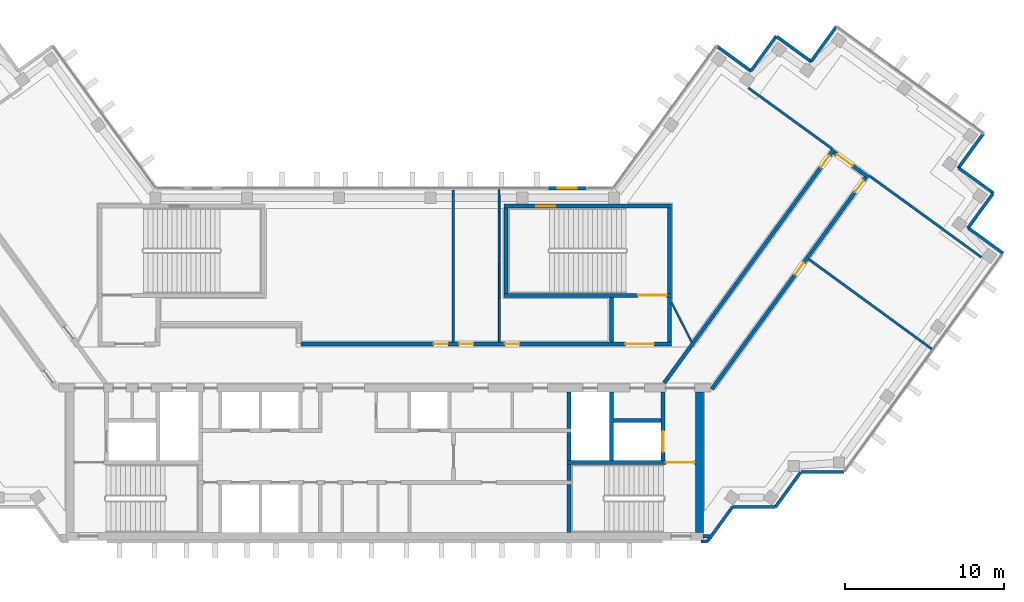
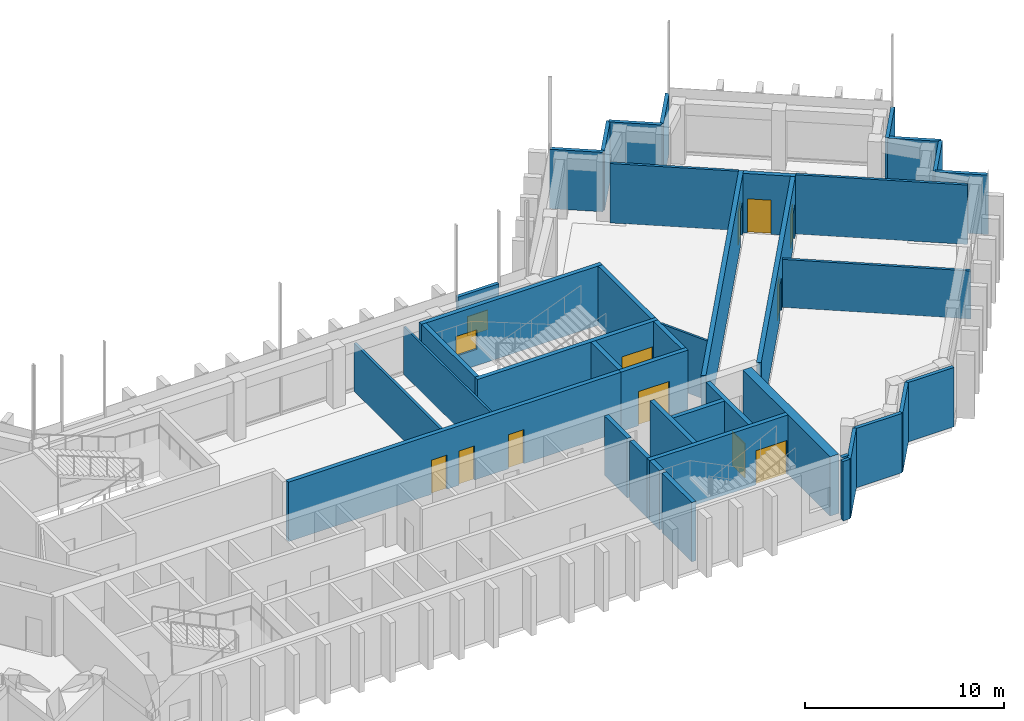
# One storey, part 10 of 13: 41 walls, 11 doors, 2 windows, 13 openings.
"""IFC4 building model written with IfcOpenShell, lengths in metres."""

from ifc_helpers import new_model, si_unit, direction, frame, frame_2d, origin, place, context, subcontext, project, spatial, rectangle, extrude, material, layer, layer_set, type_object, element, fill, save


model = new_model("IFC4")

# Units and contexts
model_context = context("Model", 3, precision=1e-05, world=origin(), true_north=direction((0.0, 1.0)))
body_context = subcontext(model_context, "Body", "Model", "MODEL_VIEW")
ifc_project = project(units=[si_unit("LENGTHUNIT", "METRE"), si_unit("AREAUNIT", "SQUARE_METRE"), si_unit("VOLUMEUNIT", "CUBIC_METRE"), si_unit("PLANEANGLEUNIT", "RADIAN"), si_unit("MASSUNIT", "GRAM", prefix="KILO")], contexts=[model_context])

# Site, building, storey
site_placement = place(None, origin())
site = spatial("IfcSite", under=ifc_project, at=site_placement, CompositionType="ELEMENT")
building_placement = place(site_placement, origin())
building = spatial("IfcBuilding", under=site, at=building_placement, Name="Quipu Civic Tower", CompositionType="ELEMENT")
storey_placement = place(building_placement, frame((0.0, 0.0, 347.0)))
storey = spatial("IfcBuildingStorey", under=building, at=storey_placement, Name="L81", CompositionType="ELEMENT", Elevation=347.0)

# Walls
ifc_material_1 = material(Name="Double gypsum plasterboard with mineral wool")
ifc_layer_1 = layer(ifc_material_1, 0.14990234375)
ifc_layer_set_1 = layer_set([ifc_layer_1], Name="Double gypsum plasterboard with mineral wool")
wall_type_1 = type_object("IfcWallType", Name="Acoustic partition 150 plasterboard", PredefinedType="PARTITIONING", material=ifc_layer_set_1)
wall_1_placement = place(storey_placement, frame((28.0732421875, 13.577880859375, 0.0), z_axis=(0.0, 0.0, 1.0), x_axis=(-0.809000932727, 0.587807358619, 0.0)))
element("IfcWall", 1, at=wall_1_placement, inside=storey, type_object=wall_type_1, Name="Partition P01", PredefinedType="PARTITIONING", context=body_context, shape_type="SweptSolid", body=[
    extrude(rectangle(XDim=6.49560546875, YDim=0.14990234375, at=frame_2d((3.247802734375, 0.0))), origin(), (0.0, 0.0, 1.0), 3.64990234375),
])
wall_2_placement = place(storey_placement, frame((37.4580078125, 6.759765625, 0.0), z_axis=(0.0, 0.0, 1.0), x_axis=(-0.809016295501, 0.587786214209, 0.0)))
element("IfcWall", 2, at=wall_2_placement, inside=storey, type_object=wall_type_1, Name="Partition P02", PredefinedType="PARTITIONING", context=body_context, shape_type="SweptSolid", body=[
    extrude(rectangle(XDim=8.700439453125, YDim=0.14990234375, at=frame_2d((4.35009765625, 0.0))), origin(), (0.0, 0.0, 1.0), 3.64990234375),
])
for number, where, z_axis, x_axis, name in (
    (3, (26.618896484375, 6.643310546875, 0.0), (0.0, 0.0, 1.0), (0.807594822539, -0.589737740532, 0.0), "Partition P03"),
    (4, (4.299072265625, 1.449951171875, 0.0), (0.0, 0.0, 1.0), (0.0, 1.0, 0.0), "Partition P06"),
):
    element("IfcWall", number, at=place(storey_placement, frame(where, z_axis=z_axis, x_axis=x_axis)), inside=storey, type_object=wall_type_1, Name=name, PredefinedType="PARTITIONING", context=body_context, shape_type="SweptSolid", body=[
        extrude(rectangle(XDim=9.550048828125, YDim=0.14990234375, at=frame_2d((4.77490234375, 0.0))), origin(), (0.0, 0.0, 1.0), 2.949951171875),
    ])
ifc_material_2 = material(Name="Concrete C70/85", Category="concrete")
ifc_layer_2 = layer(ifc_material_2, 0.25)
ifc_layer_set_2 = layer_set([ifc_layer_2], Name="Concrete C70/85")
wall_type_2 = type_object("IfcWallType", Name="Core wall 250", PredefinedType="SHEAR", material=ifc_layer_set_2)
wall_3_placement = place(storey_placement, frame((11.574951171875, -10.5, 0.0), z_axis=(0.0, 0.0, 1.0), x_axis=(0.0, 1.0, 0.0)))
element("IfcWall", 5, at=wall_3_placement, inside=storey, type_object=wall_type_2, Name="Core wall", PredefinedType="SHEAR", context=body_context, shape_type="SweptSolid", body=[
    extrude(rectangle(XDim=3.0, YDim=0.25, at=frame_2d((1.5, 0.0))), origin(), (0.0, 0.0, 1.0), 3.64990234375),
])
wall_4_placement = place(storey_placement, frame((11.574951171875, -7.25, 0.0), z_axis=(0.0, 0.0, 1.0), x_axis=(0.0, 1.0, 0.0)))
element("IfcWall", 6, at=wall_4_placement, inside=storey, type_object=wall_type_2, Name="Core wall", PredefinedType="SHEAR", context=body_context, shape_type="SweptSolid", body=[
    extrude(rectangle(XDim=1.0, YDim=0.25, at=frame_2d((0.5, 0.0))), origin(), (0.0, 0.0, 1.0), 3.64990234375),
])

# Wall, opening, door
wall_5_placement = place(storey_placement, frame((19.5, -6.125, 0.0), z_axis=(0.0, 0.0, 1.0), x_axis=(-1.0, 0.0, 0.0)))
wall_5 = element("IfcWall", 7, at=wall_5_placement, inside=storey, type_object=wall_type_2, Name="Core wall", PredefinedType="SHEAR", context=body_context, shape_type="SweptSolid", body=[
    extrude(rectangle(XDim=8.050048828125, YDim=0.25, at=frame_2d((4.02490234375, 0.0))), origin(), (0.0, 0.0, 1.0), 3.64990234375),
])
opening_1_placement = place(wall_5_placement, frame((0.050048828125, 0.0, 0.0)))
opening_1 = element("IfcOpeningElement", 8, at=opening_1_placement, cuts=wall_5, Name="Opening CD-08", PredefinedType="OPENING", context=body_context, shape_type="SweptSolid", body=[
    extrude(rectangle(XDim=1.800048828125, YDim=2.10009765625, at=frame_2d((0.89990234375, 1.050048828125))), frame((0.0, 0.135009765625, 0.0), z_axis=(0.0, -1.0, 0.0), x_axis=(1.0, 0.0, 0.0)), (0.0, 0.0, 1.0), 0.27001953125),
])
ifc_material_3 = material(Name="Fire rated steel door", Category="steel")
door_type_1 = type_object("IfcDoorType", Name="Fire door FD90 double 1800 x 2100", OperationType="NOTDEFINED", PredefinedType="DOOR", material=ifc_material_3)
door_1_placement = place(opening_1_placement, origin())
door_1 = element("IfcDoor", 9, at=door_1_placement, inside=storey, type_object=door_type_1, Name="Door", OperationType="DOUBLE_DOOR_SINGLE_SWING", OverallHeight=2.10009765625, OverallWidth=1.800048828125, PredefinedType="DOOR", context=body_context, shape_type="SweptSolid", body=[
    extrude(rectangle(XDim=1.800048828125, YDim=2.10009765625, at=frame_2d((0.89990234375, 1.050048828125))), frame((0.0, 0.02490234375, 0.0), z_axis=(0.0, -1.0, 0.0), x_axis=(1.0, 0.0, 0.0)), (0.0, 0.0, 1.0), 0.050048828125),
])
fill(opening_1, door_1)

# Walls
wall_6_placement = place(storey_placement, frame((11.574951171875, -6.0, 0.0), z_axis=(0.0, 0.0, 1.0), x_axis=(0.0, 1.0, 0.0)))
element("IfcWall", 10, at=wall_6_placement, inside=storey, type_object=wall_type_2, Name="Core wall", PredefinedType="SHEAR", context=body_context, shape_type="SweptSolid", body=[
    extrude(rectangle(XDim=1.75, YDim=0.25, at=frame_2d((0.875, 0.0))), origin(), (0.0, 0.0, 1.0), 3.64990234375),
])
wall_7_placement = place(storey_placement, frame((14.22509765625, -6.0, 0.0), z_axis=(0.0, 0.0, 1.0), x_axis=(0.0, 1.0, 0.0)))
element("IfcWall", 11, at=wall_7_placement, inside=storey, type_object=wall_type_2, Name="Core wall", PredefinedType="SHEAR", context=body_context, shape_type="SweptSolid", body=[
    extrude(rectangle(XDim=4.300048828125, YDim=0.25, at=frame_2d((2.14990234375, 0.0))), origin(), (0.0, 0.0, 1.0), 3.64990234375),
])

# Wall, opening, door
wall_8_placement = place(storey_placement, frame((17.47509765625, -6.0, 0.0), z_axis=(0.0, 0.0, 1.0), x_axis=(0.0, 1.0, 0.0)))
wall_8 = element("IfcWall", 12, at=wall_8_placement, inside=storey, type_object=wall_type_2, Name="Core wall", PredefinedType="SHEAR", context=body_context, shape_type="SweptSolid", body=[
    extrude(rectangle(XDim=4.300048828125, YDim=0.25, at=frame_2d((2.14990234375, 0.0))), origin(), (0.0, 0.0, 1.0), 3.64990234375),
])
opening_2_placement = place(wall_8_placement, frame((0.550048828125, 0.0, 0.0)))
opening_2 = element("IfcOpeningElement", 13, at=opening_2_placement, cuts=wall_8, Name="Opening LD-FF2", PredefinedType="OPENING", context=body_context, shape_type="SweptSolid", body=[
    extrude(rectangle(XDim=1.300048828125, YDim=2.10009765625, at=frame_2d((0.64990234375, 1.050048828125))), frame((0.0, 0.135009765625, 0.0), z_axis=(0.0, -1.0, 0.0), x_axis=(1.0, 0.0, 0.0)), (0.0, 0.0, 1.0), 0.27001953125),
])
ifc_material_4 = material(Name="Stainless steel", Category="steel")
door_type_2 = type_object("IfcDoorType", Name="Lift landing door 1300 x 2100", OperationType="DOUBLE_DOOR_SLIDING", PredefinedType="DOOR", material=ifc_material_4)
door_2_placement = place(opening_2_placement, origin())
door_2 = element("IfcDoor", 14, at=door_2_placement, inside=storey, type_object=door_type_2, Name="Landing door FF2", OperationType="DOUBLE_DOOR_SLIDING", OverallHeight=2.10009765625, OverallWidth=1.300048828125, PredefinedType="DOOR", context=body_context, shape_type="SweptSolid", body=[
    extrude(rectangle(XDim=1.300048828125, YDim=2.10009765625, at=frame_2d((0.64990234375, 1.050048828125))), frame((0.0, 0.02490234375, 0.0), z_axis=(0.0, -1.0, 0.0), x_axis=(1.0, 0.0, 0.0)), (0.0, 0.0, 1.0), 0.050048828125),
])
fill(opening_2, door_2)

# Walls
wall_9_placement = place(storey_placement, frame((11.574951171875, -4.0, 0.0), z_axis=(0.0, 0.0, 1.0), x_axis=(0.0, 1.0, 0.0)))
element("IfcWall", 15, at=wall_9_placement, inside=storey, type_object=wall_type_2, Name="Core wall", PredefinedType="SHEAR", context=body_context, shape_type="SweptSolid", body=[
    extrude(rectangle(XDim=2.300048828125, YDim=0.25, at=frame_2d((1.14990234375, 0.0))), origin(), (0.0, 0.0, 1.0), 3.64990234375),
])
wall_10_placement = place(storey_placement, frame((14.35009765625, -3.47509765625, 0.0), z_axis=(0.0, 0.0, 1.0), x_axis=(1.0, 0.0, 0.0)))
element("IfcWall", 16, at=wall_10_placement, inside=storey, type_object=wall_type_2, Name="Core wall", PredefinedType="SHEAR", context=body_context, shape_type="SweptSolid", body=[
    extrude(rectangle(XDim=3.0, YDim=0.25, at=frame_2d((1.5, 0.0))), origin(), (0.0, 0.0, 1.0), 3.64990234375),
])

# Wall, opening, door
wall_11_placement = place(storey_placement, frame((14.10009765625, 1.324951171875, 0.0), z_axis=(0.0, 0.0, 1.0), x_axis=(1.0, 0.0, 0.0)))
wall_11 = element("IfcWall", 17, at=wall_11_placement, inside=storey, type_object=wall_type_2, Name="Core wall", PredefinedType="SHEAR", context=body_context, shape_type="SweptSolid", body=[
    extrude(rectangle(XDim=3.89990234375, YDim=0.25, at=frame_2d((1.949951171875, 0.0))), origin(), (0.0, 0.0, 1.0), 3.64990234375),
])
opening_3_placement = place(wall_11_placement, frame((1.0, 0.0, 0.0)))
opening_3 = element("IfcOpeningElement", 18, at=opening_3_placement, cuts=wall_11, Name="Opening CD-25", PredefinedType="OPENING", context=body_context, shape_type="SweptSolid", body=[
    extrude(rectangle(XDim=1.800048828125, YDim=2.10009765625, at=frame_2d((0.89990234375, 1.050048828125))), frame((0.0, 0.135009765625, 0.0), z_axis=(0.0, -1.0, 0.0), x_axis=(1.0, 0.0, 0.0)), (0.0, 0.0, 1.0), 0.27001953125),
])
door_3_placement = place(opening_3_placement, origin())
door_3 = element("IfcDoor", 19, at=door_3_placement, inside=storey, type_object=door_type_1, Name="Lobby door", OperationType="DOUBLE_DOOR_SINGLE_SWING", OverallHeight=2.10009765625, OverallWidth=1.800048828125, PredefinedType="DOOR", context=body_context, shape_type="SweptSolid", body=[
    extrude(rectangle(XDim=1.800048828125, YDim=2.10009765625, at=frame_2d((0.89990234375, 1.050048828125))), frame((0.0, 0.02490234375, 0.0), z_axis=(0.0, -1.0, 0.0), x_axis=(1.0, 0.0, 0.0)), (0.0, 0.0, 1.0), 0.050048828125),
])
fill(opening_3, door_3)

# Walls
for number, where, z_axis, x_axis, name in (
    (20, (14.22509765625, 1.449951171875, 0.0), (0.0, 0.0, 1.0), (0.0, 1.0, 0.0), "Core wall"),
    (21, (17.875, 1.449951171875, 0.0), (0.0, 0.0, 1.0), (0.0, 1.0, 0.0), "Core wall"),
):
    element("IfcWall", number, at=place(storey_placement, frame(where, z_axis=z_axis, x_axis=x_axis)), inside=storey, type_object=wall_type_2, Name=name, PredefinedType="SHEAR", context=body_context, shape_type="SweptSolid", body=[
        extrude(rectangle(XDim=2.800048828125, YDim=0.25, at=frame_2d((1.39990234375, 0.0))), origin(), (0.0, 0.0, 1.0), 3.64990234375),
    ])

# Wall, opening, door
wall_12_placement = place(storey_placement, frame((7.5, 4.375, 0.0), z_axis=(0.0, 0.0, 1.0), x_axis=(1.0, 0.0, 0.0)))
wall_12 = element("IfcWall", 22, at=wall_12_placement, inside=storey, type_object=wall_type_2, Name="Core wall", PredefinedType="SHEAR", context=body_context, shape_type="SweptSolid", body=[
    extrude(rectangle(XDim=10.5, YDim=0.25, at=frame_2d((5.25, 0.0))), origin(), (0.0, 0.0, 1.0), 3.64990234375),
])
opening_4_placement = place(wall_12_placement, frame((8.39990234375, 0.0, 0.0)))
opening_4 = element("IfcOpeningElement", 23, at=opening_4_placement, cuts=wall_12, Name="Opening CD-26", PredefinedType="OPENING", context=body_context, shape_type="SweptSolid", body=[
    extrude(rectangle(XDim=1.800048828125, YDim=2.10009765625, at=frame_2d((0.89990234375, 1.050048828125))), frame((0.0, 0.135009765625, 0.0), z_axis=(0.0, -1.0, 0.0), x_axis=(1.0, 0.0, 0.0)), (0.0, 0.0, 1.0), 0.27001953125),
])
door_4_placement = place(opening_4_placement, origin())
door_4 = element("IfcDoor", 24, at=door_4_placement, inside=storey, type_object=door_type_1, Name="Door", OperationType="DOUBLE_DOOR_SINGLE_SWING", OverallHeight=2.10009765625, OverallWidth=1.800048828125, PredefinedType="DOOR", context=body_context, shape_type="SweptSolid", body=[
    extrude(rectangle(XDim=1.800048828125, YDim=2.10009765625, at=frame_2d((0.89990234375, 1.050048828125))), frame((0.0, 0.02490234375, 0.0), z_axis=(0.0, -1.0, 0.0), x_axis=(1.0, 0.0, 0.0)), (0.0, 0.0, 1.0), 0.050048828125),
])
fill(opening_4, door_4)

# Walls
for number, where, z_axis, x_axis, name in (
    (25, (7.625, 4.5, 0.0), (0.0, 0.0, 1.0), (0.0, 1.0, 0.0), "Core wall"),
    (26, (17.875, 4.5, 0.0), (0.0, 0.0, 1.0), (0.0, 1.0, 0.0), "Core wall"),
):
    element("IfcWall", number, at=place(storey_placement, frame(where, z_axis=z_axis, x_axis=x_axis)), inside=storey, type_object=wall_type_2, Name=name, PredefinedType="SHEAR", context=body_context, shape_type="SweptSolid", body=[
        extrude(rectangle(XDim=5.35009765625, YDim=0.25, at=frame_2d((2.675048828125, 0.0))), origin(), (0.0, 0.0, 1.0), 3.64990234375),
    ])

# Wall, opening, window
wall_13_placement = place(storey_placement, frame((7.5, 9.97509765625, 0.0), z_axis=(0.0, 0.0, 1.0), x_axis=(1.0, 0.0, 0.0)))
wall_13 = element("IfcWall", 27, at=wall_13_placement, inside=storey, type_object=wall_type_2, Name="Core wall", PredefinedType="SHEAR", context=body_context, shape_type="SweptSolid", body=[
    extrude(rectangle(XDim=10.5, YDim=0.25, at=frame_2d((5.25, 0.0))), origin(), (0.0, 0.0, 1.0), 3.64990234375),
])
opening_5_placement = place(wall_13_placement, frame((2.0, 0.0, 1.0)))
opening_5 = element("IfcOpeningElement", 28, at=opening_5_placement, cuts=wall_13, Name="Opening SV-4", PredefinedType="OPENING", context=body_context, shape_type="SweptSolid", body=[
    extrude(rectangle(XDim=1.199951171875, YDim=1.199951171875, at=frame_2d((0.60009765625, 0.60009765625))), frame((0.0, 0.135009765625, 0.0), z_axis=(0.0, -1.0, 0.0), x_axis=(1.0, 0.0, 0.0)), (0.0, 0.0, 1.0), 0.27001953125),
])
ifc_material_5 = material(Name="Aluminium louvre", Category="aluminium")
window_type_1 = type_object("IfcWindowType", Name="Stair ventilation louvre 1200 x 1200", PartitioningType="SINGLE_PANEL", PredefinedType="WINDOW", material=ifc_material_5)
window_1_placement = place(opening_5_placement, origin())
window_1 = element("IfcWindow", 29, at=window_1_placement, inside=storey, type_object=window_type_1, Name="Stair ventilation opening", OverallHeight=1.199951171875, OverallWidth=1.199951171875, PartitioningType="SINGLE_PANEL", PredefinedType="WINDOW", context=body_context, shape_type="SweptSolid", body=[
    extrude(rectangle(XDim=1.199951171875, YDim=1.199951171875, at=frame_2d((0.60009765625, 0.60009765625))), frame((0.0, 0.030029296875, 0.0), z_axis=(0.0, -1.0, 0.0), x_axis=(1.0, 0.0, 0.0)), (0.0, 0.0, 1.0), 0.06005859375),
])
fill(opening_5, window_1)

# Wall
ifc_material_6 = material(Name="Concrete C70/85", Category="concrete")
ifc_layer_3 = layer(ifc_material_6, 0.5)
ifc_layer_set_3 = layer_set([ifc_layer_3], Name="Concrete C70/85")
wall_type_3 = type_object("IfcWallType", Name="Core wall 500", PredefinedType="SHEAR", material=ifc_layer_set_3)
wall_14_placement = place(storey_placement, frame((19.75, -10.5, 0.0), z_axis=(0.0, 0.0, 1.0), x_axis=(0.0, 1.0, 0.0)))
element("IfcWall", 30, at=wall_14_placement, inside=storey, type_object=wall_type_3, Name="Core wall", PredefinedType="SHEAR", context=body_context, shape_type="SweptSolid", body=[
    extrude(rectangle(XDim=8.800048828125, YDim=0.5, at=frame_2d((4.39990234375, 0.0))), origin(), (0.0, 0.0, 1.0), 3.64990234375),
])

# Wall, opening, door
ifc_material_7 = material(Name="Concrete C50/60", Category="concrete")
ifc_layer_4 = layer(ifc_material_7, 0.25)
ifc_layer_set_4 = layer_set([ifc_layer_4], Name="Concrete C50/60")
wall_type_4 = type_object("IfcWallType", Name="Corridor wall 250 concrete", PredefinedType="SOLIDWALL", material=ifc_layer_set_4)
wall_15_placement = place(storey_placement, frame((17.544921875, -1.124755859375, 0.0), z_axis=(0.0, 0.0, 1.0), x_axis=(0.58779555165, 0.809009511354, 0.0)))
wall_15 = element("IfcWall", 31, at=wall_15_placement, inside=storey, type_object=wall_type_4, Name="Corridor wall C01", PredefinedType="SOLIDWALL", context=body_context, shape_type="SweptSolid", body=[
    extrude(rectangle(XDim=18.10302734375, YDim=0.25, at=frame_2d((9.051513671875, 0.0))), origin(), (0.0, 0.0, 1.0), 3.64990234375),
])
opening_6_placement = place(wall_15_placement, frame((16.72802734375, 0.0, 0.0)))
opening_6 = element("IfcOpeningElement", 32, at=opening_6_placement, cuts=wall_15, Name="Opening D001", PredefinedType="OPENING", context=body_context, shape_type="SweptSolid", body=[
    extrude(rectangle(XDim=0.89990234375, YDim=2.10009765625, at=frame_2d((0.449951171875, 1.050048828125))), frame((0.0, 0.135009765625, 0.0), z_axis=(0.0, -1.0, 0.0), x_axis=(1.0, 0.0, 0.0)), (0.0, 0.0, 1.0), 0.27001953125),
])
ifc_material_8 = material(Name="Fire rated timber door set with metal frame", Category="wood")
door_type_3 = type_object("IfcDoorType", Name="Single door 900 x 2100 FD60", OperationType="NOTDEFINED", PredefinedType="DOOR", material=ifc_material_8)
door_5_placement = place(opening_6_placement, origin())
door_5 = element("IfcDoor", 33, at=door_5_placement, inside=storey, type_object=door_type_3, Name="Door D001", OperationType="SINGLE_SWING_RIGHT", OverallHeight=2.10009765625, OverallWidth=0.89990234375, PredefinedType="DOOR", context=body_context, shape_type="SweptSolid", body=[
    extrude(rectangle(XDim=0.89990234375, YDim=2.10009765625, at=frame_2d((0.449951171875, 1.050048828125))), frame((0.0, 0.02490234375, 0.0), z_axis=(0.0, -1.0, 0.0), x_axis=(1.0, 0.0, 0.0)), (0.0, 0.0, 1.0), 0.050048828125),
])
fill(opening_6, door_5)

wall_16_placement = place(storey_placement, frame((28.21337890625, 13.34619140625, 0.0), z_axis=(0.0, 0.0, 1.0), x_axis=(0.809006914995, -0.587799125119, 0.0)))
wall_16 = element("IfcWall", 34, at=wall_16_placement, inside=storey, type_object=wall_type_4, Name="Corridor wall C02", PredefinedType="SOLIDWALL", context=body_context, shape_type="SweptSolid", body=[
    extrude(rectangle(XDim=2.64990234375, YDim=0.25, at=frame_2d((1.324951171875, 0.0))), origin(), (0.0, 0.0, 1.0), 3.64990234375),
])
opening_7_placement = place(wall_16_placement, frame((0.224609375, 0.0, 0.0)))
opening_7 = element("IfcOpeningElement", 35, at=opening_7_placement, cuts=wall_16, Name="Opening D004", PredefinedType="OPENING", context=body_context, shape_type="SweptSolid", body=[
    extrude(rectangle(XDim=1.199951171875, YDim=2.10009765625, at=frame_2d((0.60009765625, 1.050048828125))), frame((0.0, 0.135009765625, 0.0), z_axis=(0.0, -1.0, 0.0), x_axis=(1.0, 0.0, 0.0)), (0.0, 0.0, 1.0), 0.27001953125),
])
ifc_material_9 = material(Name="Fire rated timber door set with metal frame", Category="wood")
door_type_4 = type_object("IfcDoorType", Name="Single door 1200 x 2100 FD60", OperationType="NOTDEFINED", PredefinedType="DOOR", material=ifc_material_9)
door_6_placement = place(opening_7_placement, origin())
door_6 = element("IfcDoor", 36, at=door_6_placement, inside=storey, type_object=door_type_4, Name="Door D004", OperationType="SINGLE_SWING_LEFT", OverallHeight=2.10009765625, OverallWidth=1.199951171875, PredefinedType="DOOR", context=body_context, shape_type="SweptSolid", body=[
    extrude(rectangle(XDim=1.199951171875, YDim=2.10009765625, at=frame_2d((0.60009765625, 1.050048828125))), frame((0.0, 0.02490234375, 0.0), z_axis=(0.0, -1.0, 0.0), x_axis=(1.0, 0.0, 0.0)), (0.0, 0.0, 1.0), 0.050048828125),
])
fill(opening_7, door_6)

# Wall, openings, doors
wall_17_placement = place(storey_placement, frame((30.1826171875, 11.760986328125, 0.0), z_axis=(0.0, 0.0, 1.0), x_axis=(-0.587781762867, -0.80901952958, 0.0)))
wall_17 = element("IfcWall", 37, at=wall_17_placement, inside=storey, type_object=wall_type_4, Name="Corridor wall C03", PredefinedType="SOLIDWALL", context=body_context, shape_type="SweptSolid", body=[
    extrude(rectangle(XDim=16.42041015625, YDim=0.25, at=frame_2d((8.210205078125, 0.0))), origin(), (0.0, 0.0, 1.0), 3.64990234375),
])
opening_8_placement = place(wall_17_placement, frame((0.224609375, 0.0, 0.0)))
opening_8 = element("IfcOpeningElement", 38, at=opening_8_placement, cuts=wall_17, Name="Opening D003", PredefinedType="OPENING", context=body_context, shape_type="SweptSolid", body=[
    extrude(rectangle(XDim=0.89990234375, YDim=2.10009765625, at=frame_2d((0.449951171875, 1.050048828125))), frame((0.0, 0.135009765625, 0.0), z_axis=(0.0, -1.0, 0.0), x_axis=(1.0, 0.0, 0.0)), (0.0, 0.0, 1.0), 0.27001953125),
])
opening_9_placement = place(wall_17_placement, frame((6.604736328125, 0.0, 0.0)))
opening_9 = element("IfcOpeningElement", 39, at=opening_9_placement, cuts=wall_17, Name="Opening D002", PredefinedType="OPENING", context=body_context, shape_type="SweptSolid", body=[
    extrude(rectangle(XDim=0.89990234375, YDim=2.10009765625, at=frame_2d((0.449951171875, 1.050048828125))), frame((0.0, 0.135009765625, 0.0), z_axis=(0.0, -1.0, 0.0), x_axis=(1.0, 0.0, 0.0)), (0.0, 0.0, 1.0), 0.27001953125),
])
door_7_placement = place(opening_8_placement, origin())
door_7 = element("IfcDoor", 40, at=door_7_placement, inside=storey, type_object=door_type_3, Name="Door D003", OperationType="SINGLE_SWING_LEFT", OverallHeight=2.10009765625, OverallWidth=0.89990234375, PredefinedType="DOOR", context=body_context, shape_type="SweptSolid", body=[
    extrude(rectangle(XDim=0.89990234375, YDim=2.10009765625, at=frame_2d((0.449951171875, 1.050048828125))), frame((0.0, 0.02490234375, 0.0), z_axis=(0.0, -1.0, 0.0), x_axis=(1.0, 0.0, 0.0)), (0.0, 0.0, 1.0), 0.050048828125),
])
fill(opening_8, door_7)
door_8_placement = place(opening_9_placement, origin())
door_8 = element("IfcDoor", 41, at=door_8_placement, inside=storey, type_object=door_type_3, Name="Door D002", OperationType="SINGLE_SWING_LEFT", OverallHeight=2.10009765625, OverallWidth=0.89990234375, PredefinedType="DOOR", context=body_context, shape_type="SweptSolid", body=[
    extrude(rectangle(XDim=0.89990234375, YDim=2.10009765625, at=frame_2d((0.449951171875, 1.050048828125))), frame((0.0, 0.02490234375, 0.0), z_axis=(0.0, -1.0, 0.0), x_axis=(1.0, 0.0, 0.0)), (0.0, 0.0, 1.0), 0.050048828125),
])
fill(opening_9, door_8)

wall_18_placement = place(storey_placement, frame((-5.246337890625, 1.324951171875, 0.0), z_axis=(0.0, 0.0, 1.0), x_axis=(1.0, 0.0, 0.0)))
wall_18 = element("IfcWall", 42, at=wall_18_placement, inside=storey, type_object=wall_type_4, Name="Corridor wall C09", PredefinedType="SOLIDWALL", context=body_context, shape_type="SweptSolid", body=[
    extrude(rectangle(XDim=19.33642578125, YDim=0.25, at=frame_2d((9.668212890625, 0.0))), origin(), (0.0, 0.0, 1.0), 3.64990234375),
])
opening_10_placement = place(wall_18_placement, frame((8.315185546875, 0.0, 0.0)))
opening_10 = element("IfcOpeningElement", 43, at=opening_10_placement, cuts=wall_18, Name="Opening D005", PredefinedType="OPENING", context=body_context, shape_type="SweptSolid", body=[
    extrude(rectangle(XDim=0.89990234375, YDim=2.10009765625, at=frame_2d((0.449951171875, 1.050048828125))), frame((0.0, 0.135009765625, 0.0), z_axis=(0.0, -1.0, 0.0), x_axis=(1.0, 0.0, 0.0)), (0.0, 0.0, 1.0), 0.27001953125),
])
opening_11_placement = place(wall_18_placement, frame((9.915283203125, 0.0, 0.0)))
opening_11 = element("IfcOpeningElement", 44, at=opening_11_placement, cuts=wall_18, Name="Opening D006", PredefinedType="OPENING", context=body_context, shape_type="SweptSolid", body=[
    extrude(rectangle(XDim=0.89990234375, YDim=2.10009765625, at=frame_2d((0.449951171875, 1.050048828125))), frame((0.0, 0.135009765625, 0.0), z_axis=(0.0, -1.0, 0.0), x_axis=(1.0, 0.0, 0.0)), (0.0, 0.0, 1.0), 0.27001953125),
])
opening_12_placement = place(wall_18_placement, frame((12.794189453125, 0.0, 0.0)))
opening_12 = element("IfcOpeningElement", 45, at=opening_12_placement, cuts=wall_18, Name="Opening D007", PredefinedType="OPENING", context=body_context, shape_type="SweptSolid", body=[
    extrude(rectangle(XDim=0.89990234375, YDim=2.10009765625, at=frame_2d((0.449951171875, 1.050048828125))), frame((0.0, 0.135009765625, 0.0), z_axis=(0.0, -1.0, 0.0), x_axis=(1.0, 0.0, 0.0)), (0.0, 0.0, 1.0), 0.27001953125),
])
door_9_placement = place(opening_10_placement, origin())
door_9 = element("IfcDoor", 46, at=door_9_placement, inside=storey, type_object=door_type_3, Name="Door D005", OperationType="SINGLE_SWING_RIGHT", OverallHeight=2.10009765625, OverallWidth=0.89990234375, PredefinedType="DOOR", context=body_context, shape_type="SweptSolid", body=[
    extrude(rectangle(XDim=0.89990234375, YDim=2.10009765625, at=frame_2d((0.449951171875, 1.050048828125))), frame((0.0, 0.02490234375, 0.0), z_axis=(0.0, -1.0, 0.0), x_axis=(1.0, 0.0, 0.0)), (0.0, 0.0, 1.0), 0.050048828125),
])
fill(opening_10, door_9)
door_10_placement = place(opening_11_placement, origin())
door_10 = element("IfcDoor", 47, at=door_10_placement, inside=storey, type_object=door_type_3, Name="Door D006", OperationType="SINGLE_SWING_LEFT", OverallHeight=2.10009765625, OverallWidth=0.89990234375, PredefinedType="DOOR", context=body_context, shape_type="SweptSolid", body=[
    extrude(rectangle(XDim=0.89990234375, YDim=2.10009765625, at=frame_2d((0.449951171875, 1.050048828125))), frame((0.0, 0.02490234375, 0.0), z_axis=(0.0, -1.0, 0.0), x_axis=(1.0, 0.0, 0.0)), (0.0, 0.0, 1.0), 0.050048828125),
])
fill(opening_11, door_10)
door_11_placement = place(opening_12_placement, origin())
door_11 = element("IfcDoor", 48, at=door_11_placement, inside=storey, type_object=door_type_3, Name="Door D007", OperationType="SINGLE_SWING_LEFT", OverallHeight=2.10009765625, OverallWidth=0.89990234375, PredefinedType="DOOR", context=body_context, shape_type="SweptSolid", body=[
    extrude(rectangle(XDim=0.89990234375, YDim=2.10009765625, at=frame_2d((0.449951171875, 1.050048828125))), frame((0.0, 0.02490234375, 0.0), z_axis=(0.0, -1.0, 0.0), x_axis=(1.0, 0.0, 0.0)), (0.0, 0.0, 1.0), 0.050048828125),
])
fill(opening_12, door_11)

# Walls
ifc_material_10 = material(Name="Gypsum plasterboard on light gauge framing")
ifc_layer_5 = layer(ifc_material_10, 0.1201171875)
ifc_layer_set_5 = layer_set([ifc_layer_5], Name="Gypsum plasterboard on light gauge framing")
wall_type_5 = type_object("IfcWallType", Name="Partition 120 plasterboard", PredefinedType="PARTITIONING", material=ifc_layer_set_5)
wall_19_placement = place(storey_placement, frame((7.197998046875, 1.449951171875, 0.0), z_axis=(0.0, 0.0, 1.0), x_axis=(-0.002377476217, 0.999997173799, 0.0)))
element("IfcWall", 49, at=wall_19_placement, inside=storey, type_object=wall_type_5, Name="Partition P07", PredefinedType="PARTITIONING", context=body_context, shape_type="SweptSolid", body=[
    extrude(rectangle(XDim=9.550048828125, YDim=0.1201171875, at=frame_2d((4.77490234375, 0.0))), origin(), (0.0, 0.0, 1.0), 2.949951171875),
])
wall_20_placement = place(storey_placement, frame((18.0, 3.925048828125, 0.0), z_axis=(0.0, 0.0, 1.0), x_axis=(0.453950796792, -0.891026752736, 0.0)))
element("IfcWall", 50, at=wall_20_placement, inside=storey, type_object=wall_type_5, Name="Partition P08", PredefinedType="PARTITIONING", context=body_context, shape_type="SweptSolid", body=[
    extrude(rectangle(XDim=2.77783203125, YDim=0.1201171875, at=frame_2d((1.388916015625, 0.0))), origin(), (0.0, 0.0, 1.0), 3.64990234375),
])
ifc_material_11 = material(Name="Precast concrete C40/50", Category="concrete")
wall_type_6 = type_object("IfcWallType", Name="Precast cladding wall", PredefinedType="SOLIDWALL", material=ifc_material_11)
for number, where, z_axis, x_axis, name in (
    (51, (38.813720703125, 7.010498046875, 0.0), (0.0, 0.0, 1.0), (-0.809033161865, 0.587762999008, 0.0), "Precast cladding wall L81 P01"),
    (52, (36.60205078125, 8.580322265625, 0.0), (0.0, 0.0, 1.0), (0.587822180636, 0.808990163075, 0.0), "Precast cladding wall L81 P02"),
    (53, (38.21630859375, 10.78173828125, 0.0), (0.0, 0.0, 1.0), (-0.809033161865, 0.587762999008, 0.0), "Precast cladding wall L81 P03"),
):
    element("IfcWall", number, at=place(storey_placement, frame(where, z_axis=z_axis, x_axis=x_axis)), inside=storey, type_object=wall_type_6, Name=name, PredefinedType="SOLIDWALL", context=body_context, shape_type="SweptSolid", body=[
        extrude(rectangle(XDim=2.699951171875, YDim=0.199951171875, at=frame_2d((1.35009765625, 0.0))), origin(), (0.0, 0.0, 1.0), 3.64990234375),
    ])
wall_21_placement = place(storey_placement, frame((19.85009765625, -11.087890625, 0.0), z_axis=(0.0, 0.0, 1.0), x_axis=(1.0, 0.0, 0.0)))
element("IfcWall", 54, at=wall_21_placement, inside=storey, type_object=wall_type_6, Name="Precast cladding wall L81 P22", PredefinedType="SOLIDWALL", context=body_context, shape_type="SweptSolid", body=[
    extrude(rectangle(XDim=0.40576171875, YDim=0.199951171875, at=frame_2d((0.202880859375, 0.0))), origin(), (0.0, 0.0, 1.0), 3.64990234375),
])
wall_22_placement = place(storey_placement, frame((20.253173828125, -11.083251953125, 0.0), z_axis=(0.0, 0.0, 1.0), x_axis=(0.587766567315, 0.809030569476, 0.0)))
element("IfcWall", 55, at=wall_22_placement, inside=storey, type_object=wall_type_6, Name="Precast cladding wall L81 P23", PredefinedType="SOLIDWALL", context=body_context, shape_type="SweptSolid", body=[
    extrude(rectangle(XDim=2.687744140625, YDim=0.199951171875, at=frame_2d((1.34375, 0.0))), origin(), (0.0, 0.0, 1.0), 3.64990234375),
])
wall_23_placement = place(storey_placement, frame((36.0048828125, 12.3515625, 0.0), z_axis=(0.0, 0.0, 1.0), x_axis=(0.587762999008, 0.809033161865, 0.0)))
element("IfcWall", 56, at=wall_23_placement, inside=storey, type_object=wall_type_6, Name="Precast cladding wall L81 P24", PredefinedType="SOLIDWALL", context=body_context, shape_type="SweptSolid", body=[
    extrude(rectangle(XDim=2.699951171875, YDim=0.199951171875, at=frame_2d((1.35009765625, 0.0))), origin(), (0.0, 0.0, 1.0), 3.64990234375),
])
for number, where, z_axis, x_axis, name in (
    (57, (28.3544921875, 21.247314453125, 0.0), (0.0, 0.0, 1.0), (-0.587720002413, -0.809064397168, 0.0), "Precast cladding wall L81 P26"),
    (58, (26.78466796875, 19.03564453125, 0.0), (0.0, 0.0, 1.0), (-0.809064397168, 0.587720002413, 0.0), "Precast cladding wall L81 P27"),
):
    element("IfcWall", number, at=place(storey_placement, frame(where, z_axis=z_axis, x_axis=x_axis)), inside=storey, type_object=wall_type_6, Name=name, PredefinedType="SOLIDWALL", context=body_context, shape_type="SweptSolid", body=[
        extrude(rectangle(XDim=2.7001953125, YDim=0.199951171875, at=frame_2d((1.35009765625, 0.0))), origin(), (0.0, 0.0, 1.0), 3.64990234375),
    ])
for number, where, z_axis, x_axis, name in (
    (59, (24.583251953125, 20.64990234375, 0.0), (0.0, 0.0, 1.0), (-0.587762999008, -0.809033161865, 0.0), "Precast cladding wall L81 P28"),
    (60, (23.01318359375, 18.438232421875, 0.0), (0.0, 0.0, 1.0), (-0.808990163075, 0.587822180636, 0.0), "Precast cladding wall L81 P29"),
):
    element("IfcWall", number, at=place(storey_placement, frame(where, z_axis=z_axis, x_axis=x_axis)), inside=storey, type_object=wall_type_6, Name=name, PredefinedType="SOLIDWALL", context=body_context, shape_type="SweptSolid", body=[
        extrude(rectangle(XDim=2.699951171875, YDim=0.199951171875, at=frame_2d((1.35009765625, 0.0))), origin(), (0.0, 0.0, 1.0), 3.64990234375),
    ])

# Wall, opening, window
wall_24_placement = place(storey_placement, frame((12.655029296875, 11.10009765625, 0.0), z_axis=(0.0, 0.0, 1.0), x_axis=(-1.0, 0.0, 0.0)))
wall_24 = element("IfcWall", 61, at=wall_24_placement, inside=storey, type_object=wall_type_6, Name="Vent surround SF-L80-2", PredefinedType="SOLIDWALL", context=body_context, shape_type="SweptSolid", body=[
    extrude(rectangle(XDim=2.3916015625, YDim=0.199951171875, at=frame_2d((1.19580078125, 0.0))), origin(), (0.0, 0.0, 1.0), 3.64990234375),
])
opening_13_placement = place(wall_24_placement, frame((0.595703125, 0.0, 1.0)))
opening_13 = element("IfcOpeningElement", 62, at=opening_13_placement, cuts=wall_24, Name="Opening SF-L80-2", PredefinedType="OPENING", context=body_context, shape_type="SweptSolid", body=[
    extrude(rectangle(XDim=1.199951171875, YDim=1.199951171875, at=frame_2d((0.60009765625, 0.60009765625))), frame((0.0, 0.10986328125, 0.0), z_axis=(0.0, -1.0, 0.0), x_axis=(1.0, 0.0, 0.0)), (0.0, 0.0, 1.0), 0.219970703125),
])
ifc_material_12 = material(Name="Anodised aluminium louvre", Category="aluminium")
window_type_2 = type_object("IfcWindowType", Name="Stair vent louvre window P3", PartitioningType="SINGLE_PANEL", PredefinedType="WINDOW", material=ifc_material_12)
window_2_placement = place(opening_13_placement, origin())
window_2 = element("IfcWindow", 63, at=window_2_placement, inside=storey, type_object=window_type_2, Name="Stair vent louvre SF-L80-2", OverallHeight=1.199951171875, OverallWidth=1.199951171875, PartitioningType="SINGLE_PANEL", PredefinedType="WINDOW", context=body_context, shape_type="SweptSolid", body=[
    extrude(rectangle(XDim=1.199951171875, YDim=1.199951171875, at=frame_2d((0.60009765625, 0.60009765625))), frame((0.0, 0.030029296875, 0.0), z_axis=(0.0, -1.0, 0.0), x_axis=(1.0, 0.0, 0.0)), (0.0, 0.0, 1.0), 0.06005859375),
])
fill(opening_13, window_2)

# Walls
wall_25_placement = place(storey_placement, frame((21.8427734375, -8.90380859375, 0.0), z_axis=(0.0, 0.0, 1.0), x_axis=(1.0, 0.0, 0.0)))
element("IfcWall", 64, at=wall_25_placement, inside=storey, type_object=wall_type_6, Name="Precast cladding wall L81 1", PredefinedType="SOLIDWALL", context=body_context, shape_type="SweptSolid", body=[
    extrude(rectangle(XDim=2.699951171875, YDim=0.199951171875, at=frame_2d((1.35009765625, 0.0))), origin(), (0.0, 0.0, 1.0), 3.64990234375),
])
wall_26_placement = place(storey_placement, frame((24.533203125, -8.90869140625, 0.0), z_axis=(0.0, 0.0, 1.0), x_axis=(0.587720002413, 0.809064397168, 0.0)))
element("IfcWall", 65, at=wall_26_placement, inside=storey, type_object=wall_type_6, Name="Precast cladding wall L81 2", PredefinedType="SOLIDWALL", context=body_context, shape_type="SweptSolid", body=[
    extrude(rectangle(XDim=2.7001953125, YDim=0.199951171875, at=frame_2d((1.35009765625, 0.0))), origin(), (0.0, 0.0, 1.0), 3.64990234375),
])
wall_27_placement = place(storey_placement, frame((26.1298828125, -6.71923828125, 0.0), z_axis=(0.0, 0.0, 1.0), x_axis=(1.0, 0.0, 0.0)))
element("IfcWall", 66, at=wall_27_placement, inside=storey, type_object=wall_type_6, Name="Precast cladding wall L81 3", PredefinedType="SOLIDWALL", context=body_context, shape_type="SweptSolid", body=[
    extrude(rectangle(XDim=2.699951171875, YDim=0.199951171875, at=frame_2d((1.35009765625, 0.0))), origin(), (0.0, 0.0, 1.0), 3.64990234375),
])
wall_28_placement = place(storey_placement, frame((19.97998046875, -10.75, 0.0), z_axis=(0.0, 0.0, 1.0), x_axis=(1.0, 0.0, 0.0)))
element("IfcWall", 67, at=wall_28_placement, inside=storey, type_object=wall_type_6, Name="Precast cladding return L81 E", PredefinedType="SOLIDWALL", context=body_context, shape_type="SweptSolid", body=[
    extrude(rectangle(XDim=0.41650390625, YDim=0.199951171875, at=frame_2d((0.208251953125, 0.0))), origin(), (0.0, 0.0, 1.0), 3.64990234375),
])

save(model, "model.ifc")
